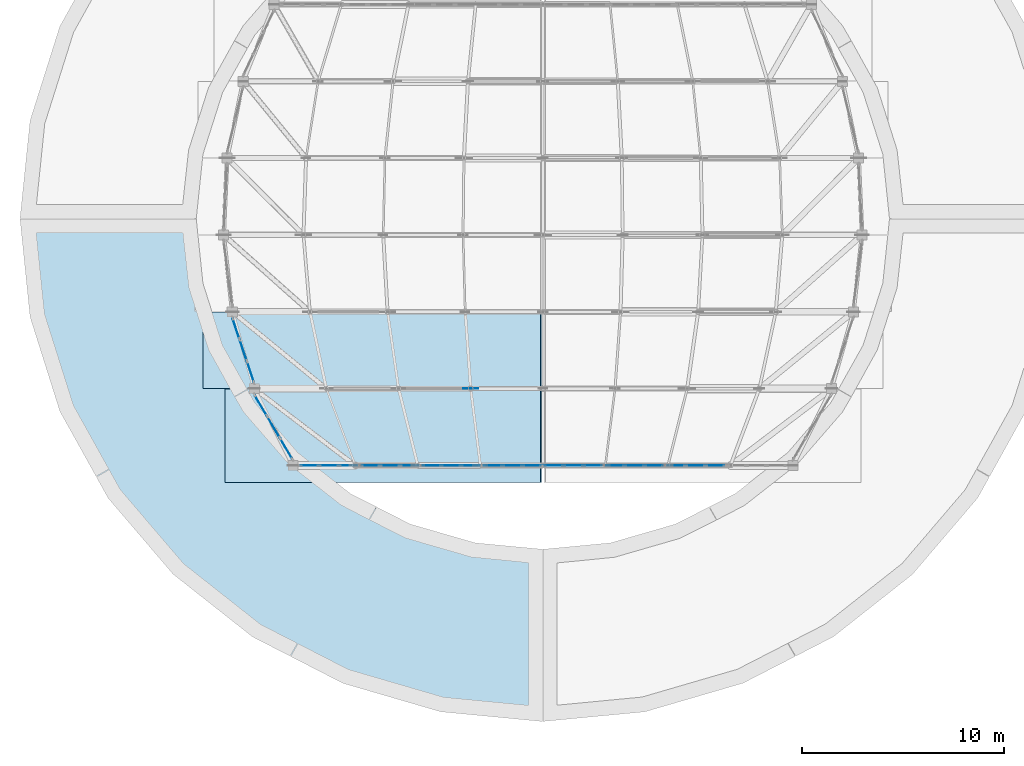
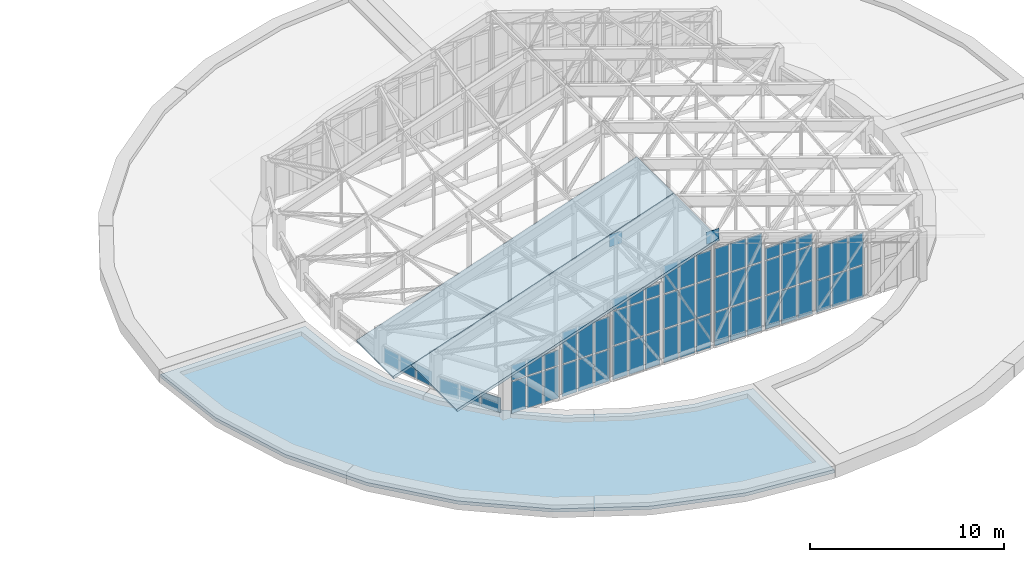
# One storey, part 59 of 105: 62 plates, 3 slabs, 9 elements without a shape of their own.
"""IFC4 building model written with IfcOpenShell, lengths in metres."""

import ifcopenshell
import ifcopenshell.guid

model = None  # the IFC model being written
_history = None  # IfcOwnerHistory: only IFC2X3 demands one
_inside = {}  # id of a spatial element -> (the spatial element, [elements in it])
_under = {}  # id of a project, library or spatial element -> (it, [spatial elements below it])
_declared = {}  # id of a project -> (the project, [libraries it declares])
_typed = {}  # id of a type object -> (the type object, [elements of that type])
_made_of = {}  # id of a material, layer set ... -> (it, [elements and type objects made of it])


def new_model(schema):
    """Start an empty IFC model of exactly this schema.

    Asked for "IFC4X3", IfcOpenShell would pick the latest addendum, in which some entities
    have other attributes; the version numbers below select the first issue.
    IFC2X3 requires an IfcOwnerHistory on every rooted entity: one is made here for all.
    """
    global model, _history
    if schema == "IFC4X3":
        model = ifcopenshell.file(schema_version=(4, 3, 0, 0))
    else:
        model = ifcopenshell.file(schema=schema)
    _inside.clear()
    _under.clear()
    _declared.clear()
    _typed.clear()
    _made_of.clear()
    _history = None
    if model.schema == "IFC2X3":
        org = make("IfcOrganization", Name="unknown")
        user = make(
            "IfcPersonAndOrganization",
            ThePerson=make("IfcPerson", FamilyName="unknown"),
            TheOrganization=org,
        )
        app = make(
            "IfcApplication",
            ApplicationDeveloper=org,
            Version="unknown",
            ApplicationFullName="unknown",
            ApplicationIdentifier="unknown",
        )
        _history = make(
            "IfcOwnerHistory",
            OwningUser=user,
            OwningApplication=app,
            ChangeAction="ADDED",
            CreationDate=0,
        )
    return model


def make(cls, **values):
    """One entity of the class cls with the attributes given. An attribute that is None is left unset."""
    return model.create_entity(
        cls, **{name: value for name, value in values.items() if value is not None}
    )


def rooted(cls, **values):
    """An entity with a GlobalId (a new one), such as an element, a storey or a relation."""
    return make(cls, GlobalId=ifcopenshell.guid.new(), OwnerHistory=_history, **values)


def si_unit(unit_type, name, prefix=None):
    """IfcSIUnit, for example si_unit("LENGTHUNIT", "METRE", prefix="MILLI")."""
    return make("IfcSIUnit", UnitType=unit_type, Prefix=prefix, Name=name)


def assignment(units):
    """IfcUnitAssignment: the units of a project."""
    return None if units is None else make("IfcUnitAssignment", Units=units)


def point(xyz):
    """IfcCartesianPoint."""
    return None if xyz is None else make("IfcCartesianPoint", Coordinates=xyz)


def direction(xyz):
    """IfcDirection."""
    return None if xyz is None else make("IfcDirection", DirectionRatios=xyz)


def frame(location, z_axis=None, x_axis=None):
    """IfcAxis2Placement3D, a coordinate frame: its origin and axes. An axis left out is left unset."""
    return make(
        "IfcAxis2Placement3D",
        Location=point(location),
        Axis=direction(z_axis),
        RefDirection=direction(x_axis),
    )


def frame_2d(location, x_axis=None):
    """IfcAxis2Placement2D, a coordinate frame in the plane: its origin and x axis."""
    return make(
        "IfcAxis2Placement2D", Location=point(location), RefDirection=direction(x_axis)
    )


def origin():
    """The frame at (0, 0, 0) with its axes left unset."""
    return frame((0.0, 0.0, 0.0))


def origin_2d():
    """The frame at (0, 0) in the plane with its x axis left unset."""
    return frame_2d((0.0, 0.0))


def place(relative_to, where):
    """IfcLocalPlacement: puts the frame where relative to a parent placement (None: the world)."""
    return make(
        "IfcLocalPlacement", PlacementRelTo=relative_to, RelativePlacement=where
    )


def context(
    kind, dimensions, precision=None, world=None, true_north=None, identifier=None
):
    """IfcGeometricRepresentationContext, for example the 3D "Model" context."""
    return make(
        "IfcGeometricRepresentationContext",
        ContextIdentifier=identifier,
        ContextType=kind,
        CoordinateSpaceDimension=dimensions,
        Precision=precision,
        WorldCoordinateSystem=world,
        TrueNorth=true_north,
    )


def subcontext(parent, identifier, kind, view, scale=None):
    """IfcGeometricRepresentationSubContext, for example "Body" below "Model"."""
    return make(
        "IfcGeometricRepresentationSubContext",
        ContextIdentifier=identifier,
        ContextType=kind,
        ParentContext=parent,
        TargetScale=scale,
        TargetView=view,
    )


def project(units=None, contexts=None):
    """IfcProject with its units and contexts."""
    return rooted(
        "IfcProject",
        Name="project",
        RepresentationContexts=contexts,
        UnitsInContext=assignment(units),
    )


def spatial(cls, under=None, at=None, **own):
    """A site, building, storey or space (cls), placed at a placement, below another one or the project."""
    s = rooted(cls, ObjectPlacement=at, **own)
    if under is not None:
        _under.setdefault(under.id(), (under, []))[1].append(s)
    return s


def polyline(points):
    """IfcPolyline through the points."""
    return make("IfcPolyline", Points=[point(p) for p in points])


def profile(cls, at=None, kind="AREA", **sizes):
    """A parametric profile (cls). Its sizes go by their IFC names, for example OverallWidth=200.0."""
    return make(cls, ProfileType=kind, Position=at, **sizes)


def rectangle(**sizes):
    """IfcRectangleProfileDef."""
    return profile("IfcRectangleProfileDef", **sizes)


def outline(outer, holes=None, kind="AREA"):
    """IfcArbitraryClosedProfileDef: a profile drawn as a closed curve; with holes, ...WithVoids."""
    if holes is None:
        return make("IfcArbitraryClosedProfileDef", ProfileType=kind, OuterCurve=outer)
    return make(
        "IfcArbitraryProfileDefWithVoids",
        ProfileType=kind,
        OuterCurve=outer,
        InnerCurves=holes,
    )


def extrude(swept, where, along, depth):
    """IfcExtrudedAreaSolid: the profile swept, set in the frame where, extruded along a direction by depth."""
    return make(
        "IfcExtrudedAreaSolid",
        SweptArea=swept,
        Position=where,
        ExtrudedDirection=direction(along),
        Depth=depth,
    )


def shape(context_of_items, identifier, shape_type, items):
    """IfcShapeRepresentation: the items that make up one representation, for example the "Body"."""
    return make(
        "IfcShapeRepresentation",
        ContextOfItems=context_of_items,
        RepresentationIdentifier=identifier,
        RepresentationType=shape_type,
        Items=items,
    )


def material(Name=None, Category=None):
    """IfcMaterial."""
    return make("IfcMaterial", Name=Name, Category=Category)


def layer(
    of_material, thickness, ventilated=None, Name=None, Category=None, Priority=None
):
    """IfcMaterialLayer: one layer of a wall or slab, of a material (None: an air gap)."""
    return make(
        "IfcMaterialLayer",
        Material=of_material,
        LayerThickness=thickness,
        IsVentilated=ventilated,
        Name=Name,
        Category=Category,
        Priority=Priority,
    )


def layer_set(layers, Name=None):
    """IfcMaterialLayerSet."""
    return make("IfcMaterialLayerSet", MaterialLayers=layers, LayerSetName=Name)


def made_of(thing, what):
    """Note that an element or type object is made of a material, layer set ...; save() writes the relation."""
    if what is not None:
        _made_of.setdefault(what.id(), (what, []))[1].append(thing)
    return thing


def type_object(cls, material=None, **own):
    """A type object (cls), such as IfcWallType, which elements share."""
    return made_of(rooted(cls, **own), material)


def element(
    cls,
    number,
    at=None,
    inside=None,
    cuts=None,
    type_object=None,
    material=None,
    context=None,
    identifier="Body",
    shape_type=None,
    held_by="IfcProductDefinitionShape",
    body=None,
    shapes=None,
    **own,
):
    """One element of the class cls, such as IfcWall. Its Tag is "e" and its number.

    at: its placement. inside: the storey or other place that contains it. cuts: it is an
    opening in that element (IfcRelVoidsElement). A single representation is given by context,
    identifier, shape_type and body (its items); several are given by shapes. held_by: the class
    of the entity that holds the representations. save() writes the other relations.
    """
    e = rooted(cls, Tag="e%d" % number, ObjectPlacement=at, **own)
    if body is not None:
        shapes = [shape(context, identifier, shape_type, body)]
    if shapes is not None:
        e.Representation = make(held_by, Representations=shapes)
    if inside is not None:
        _inside.setdefault(inside.id(), (inside, []))[1].append(e)
    if cuts is not None:
        rooted(
            "IfcRelVoidsElement", RelatingBuildingElement=cuts, RelatedOpeningElement=e
        )
    if type_object is not None:
        _typed.setdefault(type_object.id(), (type_object, []))[1].append(e)
    return made_of(e, material)


def aggregate(whole, parts):
    """IfcRelAggregates: a whole, such as a stair, and the parts it consists of."""
    return rooted("IfcRelAggregates", RelatingObject=whole, RelatedObjects=parts)


def save(model, path):
    """Write the relations noted so far, then the file.

    IfcRelAggregates (storeys below a building ...), IfcRelContainedInSpatialStructure (elements
    in a storey), IfcRelDefinesByType, IfcRelAssociatesMaterial and IfcRelDeclares: one each for
    every whole, place, type object, material and project.
    """
    for whole, parts in _under.values():
        aggregate(whole, parts)
    for where, things in _inside.values():
        rooted(
            "IfcRelContainedInSpatialStructure",
            RelatedElements=things,
            RelatingStructure=where,
        )
    for kind, things in _typed.values():
        rooted("IfcRelDefinesByType", RelatedObjects=things, RelatingType=kind)
    for what, things in _made_of.values():
        rooted("IfcRelAssociatesMaterial", RelatedObjects=things, RelatingMaterial=what)
    for by, libraries in _declared.values():
        rooted("IfcRelDeclares", RelatingContext=by, RelatedDefinitions=libraries)
    model.write(path)


model = new_model("IFC4")

# Units and contexts
model_context = context("Model", 3, precision=1e-05, world=origin(), true_north=direction((0.0, 1.0)))
body_context = subcontext(model_context, "Body", "Model", "MODEL_VIEW")
ifc_project = project(units=[si_unit("LENGTHUNIT", "METRE"), si_unit("AREAUNIT", "SQUARE_METRE"), si_unit("VOLUMEUNIT", "CUBIC_METRE"), si_unit("PLANEANGLEUNIT", "RADIAN"), si_unit("MASSUNIT", "GRAM", prefix="KILO")], contexts=[model_context])

# Site, building, storey
site_placement = place(None, origin())
site = spatial("IfcSite", under=ifc_project, at=site_placement, CompositionType="ELEMENT")
building_placement = place(site_placement, origin())
building = spatial("IfcBuilding", under=site, at=building_placement, Name="Corveleigh Park Community Centre", CompositionType="ELEMENT")
storey_placement = place(building_placement, frame((0.0, 0.0, 8.699951171875)))
storey = spatial("IfcBuildingStorey", under=building, at=storey_placement, Name="L02", CompositionType="ELEMENT", Elevation=8.699951171875)

# Curtain wall, plates
ifc_material_1 = material(Name="Anodised aluminium 6063-T6", Category="aluminium")
curtain_wall_type_1 = type_object("IfcCurtainWallType", Name="CW-SYS-V1-DRUM", PredefinedType="NOTDEFINED", material=ifc_material_1)
curtain_wall_1_placement = place(storey_placement, origin())
curtain_wall_1 = element("IfcCurtainWall", 1, at=curtain_wall_1_placement, inside=storey, type_object=curtain_wall_type_1, Name="Main Hall S Gable Clerestory 1", PredefinedType="NOTDEFINED")
ifc_material_2 = material(Name="Low-E double glazing", Category="glass")
ifc_layer_1 = layer(ifc_material_2, 0.028076171875, Name="Low-E double glazing", Category="glass")
ifc_layer_set_1 = layer_set([ifc_layer_1], Name="Low-E double glazing")
plate_type_1 = type_object("IfcPlateType", Name="CWP-GLZ-28", PredefinedType="CURTAIN_PANEL", material=ifc_layer_set_1)
plate_1_placement = place(storey_placement, frame((19.456298828125, 15.39990234375, 0.070068359375), z_axis=(0.0, 0.0, 1.0), x_axis=(1.0, 0.0, 0.0)))
plate_1 = element("IfcPlate", 2, at=plate_1_placement, type_object=plate_type_1, Name="CW02 panel 1.1", PredefinedType="CURTAIN_PANEL", context=body_context, shape_type="SweptSolid", body=[
    extrude(rectangle(XDim=0.87451171875, YDim=0.028076171875, at=origin_2d()), origin(), (0.0, 0.0, 1.0), 1.9951171875),
])
plate_2_placement = place(storey_placement, frame((19.456298828125, 15.39990234375, 2.13525390625), z_axis=(0.0, 0.0, 1.0), x_axis=(1.0, 0.0, 0.0)))
plate_2 = element("IfcPlate", 3, at=plate_2_placement, type_object=plate_type_1, Name="CW02 panel 1.2", PredefinedType="CURTAIN_PANEL", context=body_context, shape_type="SweptSolid", body=[
    extrude(rectangle(XDim=0.87451171875, YDim=0.028076171875, at=origin_2d()), origin(), (0.0, 0.0, 1.0), 0.966064453125),
])
plate_3_placement = place(storey_placement, frame((20.424560546875, 15.39990234375, 0.070068359375), z_axis=(0.0, 0.0, 1.0), x_axis=(1.0, 0.0, 0.0)))
plate_3 = element("IfcPlate", 4, at=plate_3_placement, type_object=plate_type_1, Name="CW02 panel 2.1", PredefinedType="CURTAIN_PANEL", context=body_context, shape_type="SweptSolid", body=[
    extrude(rectangle(XDim=0.912109375, YDim=0.028076171875, at=origin_2d()), origin(), (0.0, 0.0, 1.0), 1.9951171875),
])
plate_4_placement = place(storey_placement, frame((20.424560546875, 15.39990234375, 2.13525390625), z_axis=(0.0, 0.0, 1.0), x_axis=(1.0, 0.0, 0.0)))
plate_4 = element("IfcPlate", 5, at=plate_4_placement, type_object=plate_type_1, Name="CW02 panel 2.2", PredefinedType="CURTAIN_PANEL", context=body_context, shape_type="SweptSolid", body=[
    extrude(rectangle(XDim=0.912109375, YDim=0.028076171875, at=origin_2d()), origin(), (0.0, 0.0, 1.0), 0.966064453125),
])
plate_5_placement = place(storey_placement, frame((21.392822265625, 15.39990234375, 0.070068359375), z_axis=(0.0, 0.0, 1.0), x_axis=(1.0, 0.0, 0.0)))
plate_5 = element("IfcPlate", 6, at=plate_5_placement, type_object=plate_type_1, Name="CW02 panel 3.1", PredefinedType="CURTAIN_PANEL", context=body_context, shape_type="SweptSolid", body=[
    extrude(rectangle(XDim=0.87451171875, YDim=0.028076171875, at=origin_2d()), origin(), (0.0, 0.0, 1.0), 1.9951171875),
])
plate_6_placement = place(storey_placement, frame((21.392822265625, 15.39990234375, 2.13525390625), z_axis=(0.0, 0.0, 1.0), x_axis=(1.0, 0.0, 0.0)))
plate_6 = element("IfcPlate", 7, at=plate_6_placement, type_object=plate_type_1, Name="CW02 panel 3.2", PredefinedType="CURTAIN_PANEL", context=body_context, shape_type="SweptSolid", body=[
    extrude(rectangle(XDim=0.87451171875, YDim=0.028076171875, at=origin_2d()), origin(), (0.0, 0.0, 1.0), 0.966064453125),
])
aggregate(curtain_wall_1, [plate_1, plate_2, plate_3, plate_4, plate_5, plate_6])

curtain_wall_2_placement = place(storey_placement, origin())
curtain_wall_2 = element("IfcCurtainWall", 8, at=curtain_wall_2_placement, inside=storey, type_object=curtain_wall_type_1, Name="Main Hall S Gable Clerestory 2", PredefinedType="NOTDEFINED")
plate_7_placement = place(storey_placement, frame((22.478271484375, 15.39990234375, 0.070068359375), z_axis=(0.0, 0.0, 1.0), x_axis=(1.0, 0.0, 0.0)))
plate_7 = element("IfcPlate", 9, at=plate_7_placement, type_object=plate_type_1, Name="CW02 panel 1.1", PredefinedType="CURTAIN_PANEL", context=body_context, shape_type="SweptSolid", body=[
    extrude(rectangle(XDim=0.87451171875, YDim=0.028076171875, at=origin_2d()), origin(), (0.0, 0.0, 1.0), 1.9951171875),
])
plate_8_placement = place(storey_placement, frame((22.478271484375, 15.39990234375, 2.135009765625), z_axis=(0.0, 0.0, 1.0), x_axis=(1.0, 0.0, 0.0)))
plate_8 = element("IfcPlate", 10, at=plate_8_placement, type_object=plate_type_1, Name="CW02 panel 1.2", PredefinedType="CURTAIN_PANEL", context=body_context, shape_type="SweptSolid", body=[
    extrude(rectangle(XDim=0.87451171875, YDim=0.028076171875, at=origin_2d()), origin(), (0.0, 0.0, 1.0), 1.998046875),
])
plate_9_placement = place(storey_placement, frame((23.446533203125, 15.39990234375, 0.070068359375), z_axis=(0.0, 0.0, 1.0), x_axis=(1.0, 0.0, 0.0)))
plate_9 = element("IfcPlate", 11, at=plate_9_placement, type_object=plate_type_1, Name="CW02 panel 2.1", PredefinedType="CURTAIN_PANEL", context=body_context, shape_type="SweptSolid", body=[
    extrude(rectangle(XDim=0.912109375, YDim=0.028076171875, at=origin_2d()), origin(), (0.0, 0.0, 1.0), 1.9951171875),
])
plate_10_placement = place(storey_placement, frame((23.446533203125, 15.39990234375, 2.135009765625), z_axis=(0.0, 0.0, 1.0), x_axis=(1.0, 0.0, 0.0)))
plate_10 = element("IfcPlate", 12, at=plate_10_placement, type_object=plate_type_1, Name="CW02 panel 2.2", PredefinedType="CURTAIN_PANEL", context=body_context, shape_type="SweptSolid", body=[
    extrude(rectangle(XDim=0.912109375, YDim=0.028076171875, at=origin_2d()), origin(), (0.0, 0.0, 1.0), 1.998046875),
])
plate_11_placement = place(storey_placement, frame((24.414794921875, 15.39990234375, 0.070068359375), z_axis=(0.0, 0.0, 1.0), x_axis=(1.0, 0.0, 0.0)))
plate_11 = element("IfcPlate", 13, at=plate_11_placement, type_object=plate_type_1, Name="CW02 panel 3.1", PredefinedType="CURTAIN_PANEL", context=body_context, shape_type="SweptSolid", body=[
    extrude(rectangle(XDim=0.87451171875, YDim=0.028076171875, at=origin_2d()), origin(), (0.0, 0.0, 1.0), 1.9951171875),
])
plate_12_placement = place(storey_placement, frame((24.414794921875, 15.39990234375, 2.135009765625), z_axis=(0.0, 0.0, 1.0), x_axis=(1.0, 0.0, 0.0)))
plate_12 = element("IfcPlate", 14, at=plate_12_placement, type_object=plate_type_1, Name="CW02 panel 3.2", PredefinedType="CURTAIN_PANEL", context=body_context, shape_type="SweptSolid", body=[
    extrude(rectangle(XDim=0.87451171875, YDim=0.028076171875, at=origin_2d()), origin(), (0.0, 0.0, 1.0), 1.998046875),
])
aggregate(curtain_wall_2, [plate_7, plate_8, plate_9, plate_10, plate_11, plate_12])

curtain_wall_3_placement = place(storey_placement, origin())
curtain_wall_3 = element("IfcCurtainWall", 15, at=curtain_wall_3_placement, inside=storey, type_object=curtain_wall_type_1, Name="Main Hall S Gable Clerestory 3", PredefinedType="NOTDEFINED")
plate_13_placement = place(storey_placement, frame((25.499267578125, 15.39990234375, 0.06982421875), z_axis=(0.0, 0.0, 1.0), x_axis=(1.0, 0.0, 0.0)))
plate_13 = element("IfcPlate", 16, at=plate_13_placement, type_object=plate_type_1, Name="CW02 panel 1.1", PredefinedType="CURTAIN_PANEL", context=body_context, shape_type="SweptSolid", body=[
    extrude(rectangle(XDim=0.87451171875, YDim=0.028076171875, at=origin_2d()), origin(), (0.0, 0.0, 1.0), 2.094970703125),
])
plate_14_placement = place(storey_placement, frame((25.499267578125, 15.39990234375, 2.235107421875), z_axis=(0.0, 0.0, 1.0), x_axis=(1.0, 0.0, 0.0)))
plate_14 = element("IfcPlate", 17, at=plate_14_placement, type_object=plate_type_1, Name="CW02 panel 1.2", PredefinedType="CURTAIN_PANEL", context=body_context, shape_type="SweptSolid", body=[
    extrude(rectangle(XDim=0.87451171875, YDim=0.028076171875, at=origin_2d()), origin(), (0.0, 0.0, 1.0), 2.1298828125),
])
plate_15_placement = place(storey_placement, frame((25.499267578125, 15.39990234375, 4.43505859375), z_axis=(0.0, 0.0, 1.0), x_axis=(1.0, 0.0, 0.0)))
plate_15 = element("IfcPlate", 18, at=plate_15_placement, type_object=plate_type_1, Name="CW02 panel 1.3", PredefinedType="CURTAIN_PANEL", context=body_context, shape_type="SweptSolid", body=[
    extrude(rectangle(XDim=0.87451171875, YDim=0.028076171875, at=origin_2d()), origin(), (0.0, 0.0, 1.0), 0.73095703125),
])
plate_16_placement = place(storey_placement, frame((26.467529296875, 15.39990234375, 0.06982421875), z_axis=(0.0, 0.0, 1.0), x_axis=(1.0, 0.0, 0.0)))
plate_16 = element("IfcPlate", 19, at=plate_16_placement, type_object=plate_type_1, Name="CW02 panel 2.1", PredefinedType="CURTAIN_PANEL", context=body_context, shape_type="SweptSolid", body=[
    extrude(rectangle(XDim=0.912109375, YDim=0.028076171875, at=origin_2d()), origin(), (0.0, 0.0, 1.0), 2.094970703125),
])
plate_17_placement = place(storey_placement, frame((26.467529296875, 15.39990234375, 2.235107421875), z_axis=(0.0, 0.0, 1.0), x_axis=(1.0, 0.0, 0.0)))
plate_17 = element("IfcPlate", 20, at=plate_17_placement, type_object=plate_type_1, Name="CW02 panel 2.2", PredefinedType="CURTAIN_PANEL", context=body_context, shape_type="SweptSolid", body=[
    extrude(rectangle(XDim=0.912109375, YDim=0.028076171875, at=origin_2d()), origin(), (0.0, 0.0, 1.0), 2.1298828125),
])
plate_18_placement = place(storey_placement, frame((26.467529296875, 15.39990234375, 4.43505859375), z_axis=(0.0, 0.0, 1.0), x_axis=(1.0, 0.0, 0.0)))
plate_18 = element("IfcPlate", 21, at=plate_18_placement, type_object=plate_type_1, Name="CW02 panel 2.3", PredefinedType="CURTAIN_PANEL", context=body_context, shape_type="SweptSolid", body=[
    extrude(rectangle(XDim=0.912109375, YDim=0.028076171875, at=origin_2d()), origin(), (0.0, 0.0, 1.0), 0.73095703125),
])
plate_19_placement = place(storey_placement, frame((27.435791015625, 15.39990234375, 0.06982421875), z_axis=(0.0, 0.0, 1.0), x_axis=(1.0, 0.0, 0.0)))
plate_19 = element("IfcPlate", 22, at=plate_19_placement, type_object=plate_type_1, Name="CW02 panel 3.1", PredefinedType="CURTAIN_PANEL", context=body_context, shape_type="SweptSolid", body=[
    extrude(rectangle(XDim=0.87451171875, YDim=0.028076171875, at=origin_2d()), origin(), (0.0, 0.0, 1.0), 2.094970703125),
])
plate_20_placement = place(storey_placement, frame((27.435791015625, 15.39990234375, 2.235107421875), z_axis=(0.0, 0.0, 1.0), x_axis=(1.0, 0.0, 0.0)))
plate_20 = element("IfcPlate", 23, at=plate_20_placement, type_object=plate_type_1, Name="CW02 panel 3.2", PredefinedType="CURTAIN_PANEL", context=body_context, shape_type="SweptSolid", body=[
    extrude(rectangle(XDim=0.87451171875, YDim=0.028076171875, at=origin_2d()), origin(), (0.0, 0.0, 1.0), 2.1298828125),
])
plate_21_placement = place(storey_placement, frame((27.435791015625, 15.39990234375, 4.43505859375), z_axis=(0.0, 0.0, 1.0), x_axis=(1.0, 0.0, 0.0)))
plate_21 = element("IfcPlate", 24, at=plate_21_placement, type_object=plate_type_1, Name="CW02 panel 3.3", PredefinedType="CURTAIN_PANEL", context=body_context, shape_type="SweptSolid", body=[
    extrude(rectangle(XDim=0.87451171875, YDim=0.028076171875, at=origin_2d()), origin(), (0.0, 0.0, 1.0), 0.73095703125),
])
aggregate(curtain_wall_3, [plate_13, plate_14, plate_15, plate_16, plate_17, plate_18, plate_19, plate_20, plate_21])

curtain_wall_4_placement = place(storey_placement, origin())
curtain_wall_4 = element("IfcCurtainWall", 25, at=curtain_wall_4_placement, inside=storey, type_object=curtain_wall_type_1, Name="Main Hall S Gable Clerestory 4", PredefinedType="NOTDEFINED")
plate_22_placement = place(storey_placement, frame((28.521240234375, 15.39990234375, 0.06982421875), z_axis=(0.0, 0.0, 1.0), x_axis=(1.0, 0.0, 0.0)))
plate_22 = element("IfcPlate", 26, at=plate_22_placement, type_object=plate_type_1, Name="CW02 panel 1.1", PredefinedType="CURTAIN_PANEL", context=body_context, shape_type="SweptSolid", body=[
    extrude(rectangle(XDim=0.87451171875, YDim=0.028076171875, at=origin_2d()), origin(), (0.0, 0.0, 1.0), 2.094970703125),
])
plate_23_placement = place(storey_placement, frame((28.521240234375, 15.39990234375, 2.235107421875), z_axis=(0.0, 0.0, 1.0), x_axis=(1.0, 0.0, 0.0)))
plate_23 = element("IfcPlate", 27, at=plate_23_placement, type_object=plate_type_1, Name="CW02 panel 1.2", PredefinedType="CURTAIN_PANEL", context=body_context, shape_type="SweptSolid", body=[
    extrude(rectangle(XDim=0.87451171875, YDim=0.028076171875, at=origin_2d()), origin(), (0.0, 0.0, 1.0), 2.1298828125),
])
plate_24_placement = place(storey_placement, frame((28.521240234375, 15.39990234375, 4.43505859375), z_axis=(0.0, 0.0, 1.0), x_axis=(1.0, 0.0, 0.0)))
plate_24 = element("IfcPlate", 28, at=plate_24_placement, type_object=plate_type_1, Name="CW02 panel 1.3", PredefinedType="CURTAIN_PANEL", context=body_context, shape_type="SweptSolid", body=[
    extrude(rectangle(XDim=0.87451171875, YDim=0.028076171875, at=origin_2d()), origin(), (0.0, 0.0, 1.0), 1.762939453125),
])
plate_25_placement = place(storey_placement, frame((29.489501953125, 15.39990234375, 0.06982421875), z_axis=(0.0, 0.0, 1.0), x_axis=(1.0, 0.0, 0.0)))
plate_25 = element("IfcPlate", 29, at=plate_25_placement, type_object=plate_type_1, Name="CW02 panel 2.1", PredefinedType="CURTAIN_PANEL", context=body_context, shape_type="SweptSolid", body=[
    extrude(rectangle(XDim=0.912109375, YDim=0.028076171875, at=origin_2d()), origin(), (0.0, 0.0, 1.0), 2.094970703125),
])
plate_26_placement = place(storey_placement, frame((29.489501953125, 15.39990234375, 2.235107421875), z_axis=(0.0, 0.0, 1.0), x_axis=(1.0, 0.0, 0.0)))
plate_26 = element("IfcPlate", 30, at=plate_26_placement, type_object=plate_type_1, Name="CW02 panel 2.2", PredefinedType="CURTAIN_PANEL", context=body_context, shape_type="SweptSolid", body=[
    extrude(rectangle(XDim=0.912109375, YDim=0.028076171875, at=origin_2d()), origin(), (0.0, 0.0, 1.0), 2.1298828125),
])
plate_27_placement = place(storey_placement, frame((29.489501953125, 15.39990234375, 4.43505859375), z_axis=(0.0, 0.0, 1.0), x_axis=(1.0, 0.0, 0.0)))
plate_27 = element("IfcPlate", 31, at=plate_27_placement, type_object=plate_type_1, Name="CW02 panel 2.3", PredefinedType="CURTAIN_PANEL", context=body_context, shape_type="SweptSolid", body=[
    extrude(rectangle(XDim=0.912109375, YDim=0.028076171875, at=origin_2d()), origin(), (0.0, 0.0, 1.0), 1.762939453125),
])
plate_28_placement = place(storey_placement, frame((30.457763671875, 15.39990234375, 0.06982421875), z_axis=(0.0, 0.0, 1.0), x_axis=(1.0, 0.0, 0.0)))
plate_28 = element("IfcPlate", 32, at=plate_28_placement, type_object=plate_type_1, Name="CW02 panel 3.1", PredefinedType="CURTAIN_PANEL", context=body_context, shape_type="SweptSolid", body=[
    extrude(rectangle(XDim=0.87451171875, YDim=0.028076171875, at=origin_2d()), origin(), (0.0, 0.0, 1.0), 2.094970703125),
])
plate_29_placement = place(storey_placement, frame((30.457763671875, 15.39990234375, 2.235107421875), z_axis=(0.0, 0.0, 1.0), x_axis=(1.0, 0.0, 0.0)))
plate_29 = element("IfcPlate", 33, at=plate_29_placement, type_object=plate_type_1, Name="CW02 panel 3.2", PredefinedType="CURTAIN_PANEL", context=body_context, shape_type="SweptSolid", body=[
    extrude(rectangle(XDim=0.87451171875, YDim=0.028076171875, at=origin_2d()), origin(), (0.0, 0.0, 1.0), 2.1298828125),
])
plate_30_placement = place(storey_placement, frame((30.457763671875, 15.39990234375, 4.43505859375), z_axis=(0.0, 0.0, 1.0), x_axis=(1.0, 0.0, 0.0)))
plate_30 = element("IfcPlate", 34, at=plate_30_placement, type_object=plate_type_1, Name="CW02 panel 3.3", PredefinedType="CURTAIN_PANEL", context=body_context, shape_type="SweptSolid", body=[
    extrude(rectangle(XDim=0.87451171875, YDim=0.028076171875, at=origin_2d()), origin(), (0.0, 0.0, 1.0), 1.762939453125),
])
aggregate(curtain_wall_4, [plate_22, plate_23, plate_24, plate_25, plate_26, plate_27, plate_28, plate_29, plate_30])

curtain_wall_5_placement = place(storey_placement, origin())
curtain_wall_5 = element("IfcCurtainWall", 35, at=curtain_wall_5_placement, inside=storey, type_object=curtain_wall_type_1, Name="Main Hall S Gable Clerestory 5", PredefinedType="NOTDEFINED")
plate_31_placement = place(storey_placement, frame((31.54248046875, 15.39990234375, 0.06982421875), z_axis=(0.0, 0.0, 1.0), x_axis=(1.0, 0.0, 0.0)))
plate_31 = element("IfcPlate", 36, at=plate_31_placement, type_object=plate_type_1, Name="CW02 panel 1.1", PredefinedType="CURTAIN_PANEL", context=body_context, shape_type="SweptSolid", body=[
    extrude(rectangle(XDim=0.874755859375, YDim=0.028076171875, at=origin_2d()), origin(), (0.0, 0.0, 1.0), 2.094970703125),
])
plate_32_placement = place(storey_placement, frame((31.54248046875, 15.39990234375, 2.235107421875), z_axis=(0.0, 0.0, 1.0), x_axis=(1.0, 0.0, 0.0)))
plate_32 = element("IfcPlate", 37, at=plate_32_placement, type_object=plate_type_1, Name="CW02 panel 1.2", PredefinedType="CURTAIN_PANEL", context=body_context, shape_type="SweptSolid", body=[
    extrude(rectangle(XDim=0.874755859375, YDim=0.028076171875, at=origin_2d()), origin(), (0.0, 0.0, 1.0), 2.1298828125),
])
plate_33_placement = place(storey_placement, frame((31.54248046875, 15.39990234375, 4.43505859375), z_axis=(0.0, 0.0, 1.0), x_axis=(1.0, 0.0, 0.0)))
plate_33 = element("IfcPlate", 38, at=plate_33_placement, type_object=plate_type_1, Name="CW02 panel 1.3", PredefinedType="CURTAIN_PANEL", context=body_context, shape_type="SweptSolid", body=[
    extrude(rectangle(XDim=0.874755859375, YDim=0.028076171875, at=origin_2d()), origin(), (0.0, 0.0, 1.0), 1.762939453125),
])
plate_34_placement = place(storey_placement, frame((32.510986328125, 15.39990234375, 0.06982421875), z_axis=(0.0, 0.0, 1.0), x_axis=(1.0, 0.0, 0.0)))
plate_34 = element("IfcPlate", 39, at=plate_34_placement, type_object=plate_type_1, Name="CW02 panel 2.1", PredefinedType="CURTAIN_PANEL", context=body_context, shape_type="SweptSolid", body=[
    extrude(rectangle(XDim=0.912353515625, YDim=0.028076171875, at=origin_2d()), origin(), (0.0, 0.0, 1.0), 2.094970703125),
])
plate_35_placement = place(storey_placement, frame((32.510986328125, 15.39990234375, 2.235107421875), z_axis=(0.0, 0.0, 1.0), x_axis=(1.0, 0.0, 0.0)))
plate_35 = element("IfcPlate", 40, at=plate_35_placement, type_object=plate_type_1, Name="CW02 panel 2.2", PredefinedType="CURTAIN_PANEL", context=body_context, shape_type="SweptSolid", body=[
    extrude(rectangle(XDim=0.912353515625, YDim=0.028076171875, at=origin_2d()), origin(), (0.0, 0.0, 1.0), 2.1298828125),
])
plate_36_placement = place(storey_placement, frame((32.510986328125, 15.39990234375, 4.43505859375), z_axis=(0.0, 0.0, 1.0), x_axis=(1.0, 0.0, 0.0)))
plate_36 = element("IfcPlate", 41, at=plate_36_placement, type_object=plate_type_1, Name="CW02 panel 2.3", PredefinedType="CURTAIN_PANEL", context=body_context, shape_type="SweptSolid", body=[
    extrude(rectangle(XDim=0.912353515625, YDim=0.028076171875, at=origin_2d()), origin(), (0.0, 0.0, 1.0), 1.762939453125),
])
plate_37_placement = place(storey_placement, frame((33.4794921875, 15.39990234375, 0.06982421875), z_axis=(0.0, 0.0, 1.0), x_axis=(1.0, 0.0, 0.0)))
plate_37 = element("IfcPlate", 42, at=plate_37_placement, type_object=plate_type_1, Name="CW02 panel 3.1", PredefinedType="CURTAIN_PANEL", context=body_context, shape_type="SweptSolid", body=[
    extrude(rectangle(XDim=0.874755859375, YDim=0.028076171875, at=origin_2d()), origin(), (0.0, 0.0, 1.0), 2.094970703125),
])
plate_38_placement = place(storey_placement, frame((33.4794921875, 15.39990234375, 2.235107421875), z_axis=(0.0, 0.0, 1.0), x_axis=(1.0, 0.0, 0.0)))
plate_38 = element("IfcPlate", 43, at=plate_38_placement, type_object=plate_type_1, Name="CW02 panel 3.2", PredefinedType="CURTAIN_PANEL", context=body_context, shape_type="SweptSolid", body=[
    extrude(rectangle(XDim=0.874755859375, YDim=0.028076171875, at=origin_2d()), origin(), (0.0, 0.0, 1.0), 2.1298828125),
])
plate_39_placement = place(storey_placement, frame((33.4794921875, 15.39990234375, 4.43505859375), z_axis=(0.0, 0.0, 1.0), x_axis=(1.0, 0.0, 0.0)))
plate_39 = element("IfcPlate", 44, at=plate_39_placement, type_object=plate_type_1, Name="CW02 panel 3.3", PredefinedType="CURTAIN_PANEL", context=body_context, shape_type="SweptSolid", body=[
    extrude(rectangle(XDim=0.874755859375, YDim=0.028076171875, at=origin_2d()), origin(), (0.0, 0.0, 1.0), 1.762939453125),
])
aggregate(curtain_wall_5, [plate_31, plate_32, plate_33, plate_34, plate_35, plate_36, plate_37, plate_38, plate_39])

curtain_wall_6_placement = place(storey_placement, origin())
curtain_wall_6 = element("IfcCurtainWall", 45, at=curtain_wall_6_placement, inside=storey, type_object=curtain_wall_type_1, Name="Main Hall S Gable Clerestory 6", PredefinedType="NOTDEFINED")
plate_40_placement = place(storey_placement, frame((34.564208984375, 15.39990234375, 0.06982421875), z_axis=(0.0, 0.0, 1.0), x_axis=(1.0, 0.0, 0.0)))
plate_40 = element("IfcPlate", 46, at=plate_40_placement, type_object=plate_type_1, Name="CW02 panel 1.1", PredefinedType="CURTAIN_PANEL", context=body_context, shape_type="SweptSolid", body=[
    extrude(rectangle(XDim=0.87451171875, YDim=0.028076171875, at=origin_2d()), origin(), (0.0, 0.0, 1.0), 2.094970703125),
])
plate_41_placement = place(storey_placement, frame((34.564208984375, 15.39990234375, 2.235107421875), z_axis=(0.0, 0.0, 1.0), x_axis=(1.0, 0.0, 0.0)))
plate_41 = element("IfcPlate", 47, at=plate_41_placement, type_object=plate_type_1, Name="CW02 panel 1.2", PredefinedType="CURTAIN_PANEL", context=body_context, shape_type="SweptSolid", body=[
    extrude(rectangle(XDim=0.87451171875, YDim=0.028076171875, at=origin_2d()), origin(), (0.0, 0.0, 1.0), 2.1298828125),
])
plate_42_placement = place(storey_placement, frame((34.564208984375, 15.39990234375, 4.43505859375), z_axis=(0.0, 0.0, 1.0), x_axis=(1.0, 0.0, 0.0)))
plate_42 = element("IfcPlate", 48, at=plate_42_placement, type_object=plate_type_1, Name="CW02 panel 1.3", PredefinedType="CURTAIN_PANEL", context=body_context, shape_type="SweptSolid", body=[
    extrude(rectangle(XDim=0.87451171875, YDim=0.028076171875, at=origin_2d()), origin(), (0.0, 0.0, 1.0), 0.73095703125),
])
plate_43_placement = place(storey_placement, frame((35.532470703125, 15.39990234375, 0.06982421875), z_axis=(0.0, 0.0, 1.0), x_axis=(1.0, 0.0, 0.0)))
plate_43 = element("IfcPlate", 49, at=plate_43_placement, type_object=plate_type_1, Name="CW02 panel 2.1", PredefinedType="CURTAIN_PANEL", context=body_context, shape_type="SweptSolid", body=[
    extrude(rectangle(XDim=0.912109375, YDim=0.028076171875, at=origin_2d()), origin(), (0.0, 0.0, 1.0), 2.094970703125),
])
plate_44_placement = place(storey_placement, frame((35.532470703125, 15.39990234375, 2.235107421875), z_axis=(0.0, 0.0, 1.0), x_axis=(1.0, 0.0, 0.0)))
plate_44 = element("IfcPlate", 50, at=plate_44_placement, type_object=plate_type_1, Name="CW02 panel 2.2", PredefinedType="CURTAIN_PANEL", context=body_context, shape_type="SweptSolid", body=[
    extrude(rectangle(XDim=0.912109375, YDim=0.028076171875, at=origin_2d()), origin(), (0.0, 0.0, 1.0), 2.1298828125),
])
plate_45_placement = place(storey_placement, frame((35.532470703125, 15.39990234375, 4.43505859375), z_axis=(0.0, 0.0, 1.0), x_axis=(1.0, 0.0, 0.0)))
plate_45 = element("IfcPlate", 51, at=plate_45_placement, type_object=plate_type_1, Name="CW02 panel 2.3", PredefinedType="CURTAIN_PANEL", context=body_context, shape_type="SweptSolid", body=[
    extrude(rectangle(XDim=0.912109375, YDim=0.028076171875, at=origin_2d()), origin(), (0.0, 0.0, 1.0), 0.73095703125),
])
plate_46_placement = place(storey_placement, frame((36.500732421875, 15.39990234375, 0.06982421875), z_axis=(0.0, 0.0, 1.0), x_axis=(1.0, 0.0, 0.0)))
plate_46 = element("IfcPlate", 52, at=plate_46_placement, type_object=plate_type_1, Name="CW02 panel 3.1", PredefinedType="CURTAIN_PANEL", context=body_context, shape_type="SweptSolid", body=[
    extrude(rectangle(XDim=0.87451171875, YDim=0.028076171875, at=origin_2d()), origin(), (0.0, 0.0, 1.0), 2.094970703125),
])
plate_47_placement = place(storey_placement, frame((36.500732421875, 15.39990234375, 2.235107421875), z_axis=(0.0, 0.0, 1.0), x_axis=(1.0, 0.0, 0.0)))
plate_47 = element("IfcPlate", 53, at=plate_47_placement, type_object=plate_type_1, Name="CW02 panel 3.2", PredefinedType="CURTAIN_PANEL", context=body_context, shape_type="SweptSolid", body=[
    extrude(rectangle(XDim=0.87451171875, YDim=0.028076171875, at=origin_2d()), origin(), (0.0, 0.0, 1.0), 2.1298828125),
])
plate_48_placement = place(storey_placement, frame((36.500732421875, 15.39990234375, 4.43505859375), z_axis=(0.0, 0.0, 1.0), x_axis=(1.0, 0.0, 0.0)))
plate_48 = element("IfcPlate", 54, at=plate_48_placement, type_object=plate_type_1, Name="CW02 panel 3.3", PredefinedType="CURTAIN_PANEL", context=body_context, shape_type="SweptSolid", body=[
    extrude(rectangle(XDim=0.87451171875, YDim=0.028076171875, at=origin_2d()), origin(), (0.0, 0.0, 1.0), 0.73095703125),
])
aggregate(curtain_wall_6, [plate_40, plate_41, plate_42, plate_43, plate_44, plate_45, plate_46, plate_47, plate_48])

curtain_wall_7_placement = place(storey_placement, origin())
curtain_wall_7 = element("IfcCurtainWall", 55, at=curtain_wall_7_placement, inside=storey, type_object=curtain_wall_type_1, Name="Main Hall S Gable Clerestory 7", PredefinedType="NOTDEFINED")
plate_49_placement = place(storey_placement, frame((37.585205078125, 15.39990234375, 0.070068359375), z_axis=(0.0, 0.0, 1.0), x_axis=(1.0, 0.0, 0.0)))
plate_49 = element("IfcPlate", 56, at=plate_49_placement, type_object=plate_type_1, Name="CW02 panel 1.1", PredefinedType="CURTAIN_PANEL", context=body_context, shape_type="SweptSolid", body=[
    extrude(rectangle(XDim=0.87451171875, YDim=0.028076171875, at=origin_2d()), origin(), (0.0, 0.0, 1.0), 1.9951171875),
])
plate_50_placement = place(storey_placement, frame((37.585205078125, 15.39990234375, 2.135009765625), z_axis=(0.0, 0.0, 1.0), x_axis=(1.0, 0.0, 0.0)))
plate_50 = element("IfcPlate", 57, at=plate_50_placement, type_object=plate_type_1, Name="CW02 panel 1.2", PredefinedType="CURTAIN_PANEL", context=body_context, shape_type="SweptSolid", body=[
    extrude(rectangle(XDim=0.87451171875, YDim=0.028076171875, at=origin_2d()), origin(), (0.0, 0.0, 1.0), 1.998046875),
])
plate_51_placement = place(storey_placement, frame((38.553466796875, 15.39990234375, 0.070068359375), z_axis=(0.0, 0.0, 1.0), x_axis=(1.0, 0.0, 0.0)))
plate_51 = element("IfcPlate", 58, at=plate_51_placement, type_object=plate_type_1, Name="CW02 panel 2.1", PredefinedType="CURTAIN_PANEL", context=body_context, shape_type="SweptSolid", body=[
    extrude(rectangle(XDim=0.912109375, YDim=0.028076171875, at=origin_2d()), origin(), (0.0, 0.0, 1.0), 1.9951171875),
])
plate_52_placement = place(storey_placement, frame((38.553466796875, 15.39990234375, 2.135009765625), z_axis=(0.0, 0.0, 1.0), x_axis=(1.0, 0.0, 0.0)))
plate_52 = element("IfcPlate", 59, at=plate_52_placement, type_object=plate_type_1, Name="CW02 panel 2.2", PredefinedType="CURTAIN_PANEL", context=body_context, shape_type="SweptSolid", body=[
    extrude(rectangle(XDim=0.912109375, YDim=0.028076171875, at=origin_2d()), origin(), (0.0, 0.0, 1.0), 1.998046875),
])
plate_53_placement = place(storey_placement, frame((39.521728515625, 15.39990234375, 0.070068359375), z_axis=(0.0, 0.0, 1.0), x_axis=(1.0, 0.0, 0.0)))
plate_53 = element("IfcPlate", 60, at=plate_53_placement, type_object=plate_type_1, Name="CW02 panel 3.1", PredefinedType="CURTAIN_PANEL", context=body_context, shape_type="SweptSolid", body=[
    extrude(rectangle(XDim=0.87451171875, YDim=0.028076171875, at=origin_2d()), origin(), (0.0, 0.0, 1.0), 1.9951171875),
])
plate_54_placement = place(storey_placement, frame((39.521728515625, 15.39990234375, 2.135009765625), z_axis=(0.0, 0.0, 1.0), x_axis=(1.0, 0.0, 0.0)))
plate_54 = element("IfcPlate", 61, at=plate_54_placement, type_object=plate_type_1, Name="CW02 panel 3.2", PredefinedType="CURTAIN_PANEL", context=body_context, shape_type="SweptSolid", body=[
    extrude(rectangle(XDim=0.87451171875, YDim=0.028076171875, at=origin_2d()), origin(), (0.0, 0.0, 1.0), 1.998046875),
])
aggregate(curtain_wall_7, [plate_49, plate_50, plate_51, plate_52, plate_53, plate_54])

curtain_wall_type_2 = type_object("IfcCurtainWallType", Name="CW-SYS-V1-L00", PredefinedType="NOTDEFINED", material=ifc_material_1)
curtain_wall_8_placement = place(storey_placement, origin())
curtain_wall_8 = element("IfcCurtainWall", 62, at=curtain_wall_8_placement, inside=storey, type_object=curtain_wall_type_2, Name="Main Hall West Eave Clerestory 1", PredefinedType="NOTDEFINED")
plate_55_placement = place(storey_placement, frame((18.306884765625, 16.235107421875, 0.06494140625), z_axis=(0.0, 0.0, 1.0), x_axis=(-0.507635913283, 0.861571691471, 0.0)))
plate_55 = element("IfcPlate", 63, at=plate_55_placement, type_object=plate_type_1, Name="CW01 panel 1.1", PredefinedType="CURTAIN_PANEL", context=body_context, shape_type="SweptSolid", body=[
    extrude(rectangle(XDim=1.1484375, YDim=0.028076171875, at=origin_2d()), origin(), (0.0, 0.0, 1.0), 0.929931640625),
])
plate_56_placement = place(storey_placement, frame((17.679443359375, 17.300048828125, 0.06494140625), z_axis=(0.0, 0.0, 1.0), x_axis=(-0.507635913283, 0.861571691471, 0.0)))
plate_56 = element("IfcPlate", 64, at=plate_56_placement, type_object=plate_type_1, Name="CW01 panel 2.1", PredefinedType="CURTAIN_PANEL", context=body_context, shape_type="SweptSolid", body=[
    extrude(rectangle(XDim=1.18359375, YDim=0.028076171875, at=origin_2d()), origin(), (0.0, 0.0, 1.0), 0.929931640625),
])
plate_57_placement = place(storey_placement, frame((17.052001953125, 18.364990234375, 0.06494140625), z_axis=(0.0, 0.0, 1.0), x_axis=(-0.507635913283, 0.861571691471, 0.0)))
plate_57 = element("IfcPlate", 65, at=plate_57_placement, type_object=plate_type_1, Name="CW01 panel 3.1", PredefinedType="CURTAIN_PANEL", context=body_context, shape_type="SweptSolid", body=[
    extrude(rectangle(XDim=1.1484375, YDim=0.028076171875, at=origin_2d()), origin(), (0.0, 0.0, 1.0), 0.929931640625),
])
aggregate(curtain_wall_8, [plate_55, plate_56, plate_57])

curtain_wall_9_placement = place(storey_placement, origin())
curtain_wall_9 = element("IfcCurtainWall", 66, at=curtain_wall_9_placement, inside=storey, type_object=curtain_wall_type_2, Name="Main Hall West Eave Clerestory 2", PredefinedType="NOTDEFINED")
plate_58_placement = place(storey_placement, frame((16.538818359375, 20.03662109375, 0.06494140625), z_axis=(0.0, 0.0, 1.0), x_axis=(-0.317281272599, 0.948331478998, 0.0)))
plate_58 = element("IfcPlate", 67, at=plate_58_placement, type_object=plate_type_1, Name="CW01 panel 1.1", PredefinedType="CURTAIN_PANEL", context=body_context, shape_type="SweptSolid", body=[
    extrude(rectangle(XDim=1.033935546875, YDim=0.028076171875, at=origin_2d()), origin(), (0.0, 0.0, 1.0), 0.929931640625),
])
plate_59_placement = place(storey_placement, frame((16.18310546875, 21.10009765625, 0.06494140625), z_axis=(0.0, 0.0, 1.0), x_axis=(-0.317281272599, 0.948331478998, 0.0)))
plate_59 = element("IfcPlate", 68, at=plate_59_placement, type_object=plate_type_1, Name="CW01 panel 2.1", PredefinedType="CURTAIN_PANEL", context=body_context, shape_type="SweptSolid", body=[
    extrude(rectangle(XDim=1.06884765625, YDim=0.028076171875, at=origin_2d()), origin(), (0.0, 0.0, 1.0), 0.929931640625),
])
plate_60_placement = place(storey_placement, frame((15.8271484375, 22.163330078125, 0.06494140625), z_axis=(0.0, 0.0, 1.0), x_axis=(-0.317281272599, 0.948331478998, 0.0)))
plate_60 = element("IfcPlate", 69, at=plate_60_placement, type_object=plate_type_1, Name="CW01 panel 3.1", PredefinedType="CURTAIN_PANEL", context=body_context, shape_type="SweptSolid", body=[
    extrude(rectangle(XDim=1.033935546875, YDim=0.028076171875, at=origin_2d()), origin(), (0.0, 0.0, 1.0), 0.929931640625),
])
aggregate(curtain_wall_9, [plate_58, plate_59, plate_60])

# Plates
ifc_material_3 = material(Name="Steel S355", Category="steel")
ifc_layer_2 = layer(ifc_material_3, 0.030029296875, Name="Steel S355", Category="steel")
ifc_layer_set_2 = layer_set([ifc_layer_2], Name="Steel S355")
plate_type_2 = type_object("IfcPlateType", Name="PLT-GUS-30", PredefinedType="SHEET", material=ifc_layer_set_2)
for number, where, z_axis, x_axis, name in (
    (70, (31.0, 15.39990234375, 6.64501953125), (0.0, 0.0, 1.0), (1.0, 0.0, 0.0), "V1 Truss T1 Gusset"),
    (71, (27.430908203125, 19.199951171875, 5.425537109375), (0.0, 0.0, 1.0), (1.0, 0.0, 0.0), "V1 Truss T2 Gusset"),
):
    element("IfcPlate", number, at=place(storey_placement, frame(where, z_axis=z_axis, x_axis=x_axis)), inside=storey, type_object=plate_type_2, Name=name, PredefinedType="SHEET", context=body_context, shape_type="SweptSolid", body=[
        extrude(rectangle(XDim=0.75, YDim=0.030029296875, at=origin_2d()), origin(), (0.0, 0.0, 1.0), 0.75),
    ])

# Slabs
ifc_material_4 = material(Name="Concrete C32/40", Category="concrete")
ifc_layer_3 = layer(ifc_material_4, 0.205078125, Name="Concrete C32/40", Category="concrete")
ifc_layer_set_3 = layer_set([ifc_layer_3], Name="Concrete C32/40")
slab_type_1 = type_object("IfcSlabType", Name="SLB-CAN-205", PredefinedType="ROOF", material=ifc_layer_set_3)
slab_1_placement = place(storey_placement, frame((0.0, 0.0, -0.204833984375)))
element("IfcSlab", 72, at=slab_1_placement, inside=storey, type_object=slab_type_1, Name="Main Hall Curved Overhang Band 3", PredefinedType="ROOF", context=body_context, shape_type="SweptSolid", body=[
    extrude(outline(polyline([(13.800048828125, 27.580078125), (14.1298828125, 24.40087890625), (15.10888671875, 21.323974609375), (16.698974609375, 18.489013671875), (18.837890625, 16.0029296875), (21.444091796875, 13.964111328125), (24.41796875, 12.447998046875), (27.64404296875, 11.514892578125), (30.97900390625, 11.199951171875), (30.968994140625, 2.800048828125), (25.967041015625, 3.277099609375), (21.126953125, 4.68798828125), (16.666015625, 6.97998046875), (12.757080078125, 10.06396484375), (9.548095703125, 13.822021484375), (7.1640625, 18.10888671875), (5.696044921875, 22.761962890625), (5.199951171875, 27.570068359375), (13.800048828125, 27.580078125)])), origin(), (0.0, 0.0, 1.0), 0.204833984375),
])
ifc_layer_4 = layer(ifc_material_4, 0.176025390625, Name="Concrete C32/40", Category="concrete")
ifc_layer_set_4 = layer_set([ifc_layer_4], Name="Concrete C32/40")
slab_type_2 = type_object("IfcSlabType", Name="SLB-ROF-176", PredefinedType="ROOF", material=ifc_layer_set_4)
slab_2_placement = place(storey_placement, frame((15.27490234375, 14.550048828125, 2.137939453125), z_axis=(-0.323333996469, 0.0, 0.946284907799), x_axis=(0.946284907799, 0.0, 0.323333996469)))
element("IfcSlab", 73, at=slab_2_placement, inside=storey, type_object=slab_type_2, Name="Main Hall West Pitched Roof Bay 1", PredefinedType="ROOF", context=body_context, shape_type="SweptSolid", body=[
    extrude(outline(polyline([(0.0, 0.0), (16.49078447742998, 0.0), (16.49078447742998, 4.635009765625), (0.0, 4.635009765625), (0.0, 0.0)])), origin(), (0.0, 0.0, -1.0), 0.176025390625),
])
slab_3_placement = place(storey_placement, frame((14.19091796875, 19.215087890625, 1.76806640625), z_axis=(-0.323308041961, 0.0, 0.946293775739), x_axis=(0.946293775739, 0.0, 0.323308041961)))
element("IfcSlab", 74, at=slab_3_placement, inside=storey, type_object=slab_type_2, Name="Main Hall West Pitched Roof Bay 2", PredefinedType="ROOF", context=body_context, shape_type="SweptSolid", body=[
    extrude(outline(polyline([(0.0, 0.0), (17.636135068847853, 0.0), (17.636135068847853, 3.770019531250001), (0.0, 3.770019531250001), (0.0, 0.0)])), origin(), (0.0, 0.0, -1.0), 0.176025390625),
])

save(model, "model.ifc")
